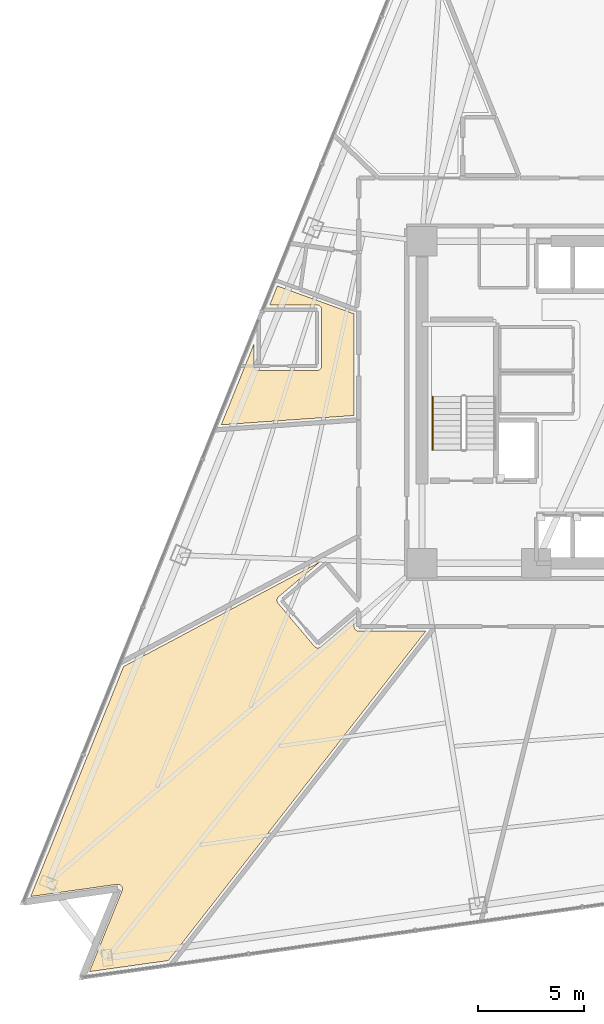
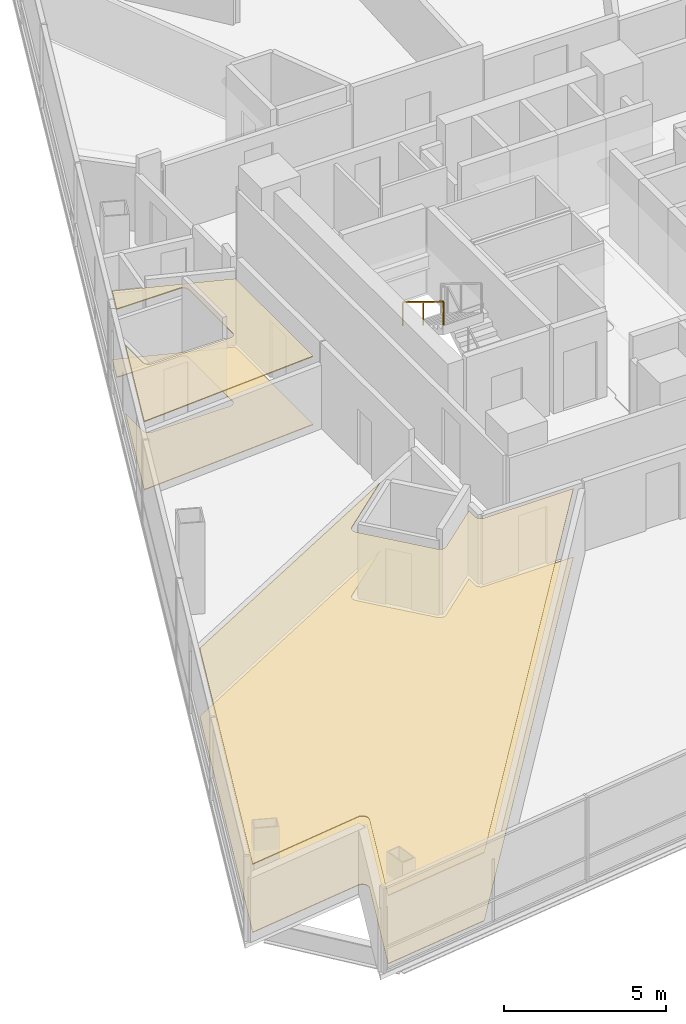
# One storey, part 11 of 15: 4 coverings, 1 railing.
"""IFC4 building model written with IfcOpenShell, lengths in metres."""

from ifc_helpers import new_model, si_unit, direction, frame, origin, origin_2d, place, context, subcontext, project, spatial, polyline, rectangle, outline, extrude, material, layer, layer_set, type_object, element, save


model = new_model("IFC4")

# Units and contexts
model_context = context("Model", 3, precision=1e-05, world=origin(), true_north=direction((0.0, 1.0)))
body_context = subcontext(model_context, "Body", "Model", "MODEL_VIEW")
ifc_project = project(units=[si_unit("LENGTHUNIT", "METRE"), si_unit("AREAUNIT", "SQUARE_METRE"), si_unit("VOLUMEUNIT", "CUBIC_METRE"), si_unit("PLANEANGLEUNIT", "RADIAN"), si_unit("MASSUNIT", "GRAM", prefix="KILO")], contexts=[model_context])

# Site, building, storey
site_placement = place(None, origin())
site = spatial("IfcSite", under=ifc_project, at=site_placement, CompositionType="ELEMENT")
building_placement = place(site_placement, origin())
building = spatial("IfcBuilding", under=site, at=building_placement, Name="Tharavind Bronze Gate", CompositionType="ELEMENT")
storey_placement = place(building_placement, frame((0.0, 0.0, 77.64990234375)))
storey = spatial("IfcBuildingStorey", under=building, at=storey_placement, Name="L19", CompositionType="ELEMENT", Elevation=77.64990234375)

# Coverings
ifc_material_1 = material(Name="Engineered Oak & Carpet Tile", Category="wood")
ifc_layer_1 = layer(ifc_material_1, 0.02490234375)
ifc_layer_set_1 = layer_set([ifc_layer_1], Name="Engineered Oak & Carpet Tile")
covering_type_1 = type_object("IfcCoveringType", Name="ENGINEERED TIMBER FLOORING", PredefinedType="FLOORING", material=ifc_layer_set_1)
covering_1_placement = place(storey_placement, origin())
element("IfcCovering", 1, at=covering_1_placement, inside=storey, type_object=covering_type_1, Name="L19-RM-07 floor finish", PredefinedType="FLOORING", context=body_context, shape_type="SweptSolid", body=[
    extrude(outline(polyline([(-12.10009765625, -0.62548828125), (-12.10009765625, 4.169921875), (-15.720703125, 5.48779296875), (-16.08447265625, 4.587646484375), (-13.85009765625, 4.587646484375), (-13.828369140625, 4.586669921875), (-13.80712890625, 4.58349609375), (-13.7861328125, 4.578125), (-13.765869140625, 4.57080078125), (-13.746337890625, 4.561767578125), (-13.727783203125, 4.550537109375), (-13.71044921875, 4.53759765625), (-13.6943359375, 4.523193359375), (-13.679931640625, 4.507080078125), (-13.6669921875, 4.489990234375), (-13.656005859375, 4.471435546875), (-13.646728515625, 4.451904296875), (-13.639404296875, 4.431396484375), (-13.63427734375, 4.41064453125), (-13.631103515625, 4.38916015625), (-13.6298828125, 4.36767578125), (-13.6298828125, 1.717529296875), (-13.631103515625, 1.696044921875), (-13.63427734375, 1.6748046875), (-13.639404296875, 1.65380859375), (-13.646728515625, 1.633544921875), (-13.656005859375, 1.614013671875), (-13.6669921875, 1.595458984375), (-13.679931640625, 1.578125), (-13.6943359375, 1.56201171875), (-13.71044921875, 1.547607421875), (-13.727783203125, 1.53466796875), (-13.746337890625, 1.523681640625), (-13.765869140625, 1.514404296875), (-13.7861328125, 1.507080078125), (-13.80712890625, 1.501953125), (-13.828369140625, 1.498779296875), (-13.85009765625, 1.49755859375), (-16.60009765625, 1.49755859375), (-16.62158203125, 1.498779296875), (-16.642822265625, 1.501953125), (-16.663818359375, 1.507080078125), (-16.68408203125, 1.514404296875), (-16.70361328125, 1.523681640625), (-16.72216796875, 1.53466796875), (-16.739501953125, 1.547607421875), (-16.755615234375, 1.56201171875), (-16.77001953125, 1.578125), (-16.782958984375, 1.595458984375), (-16.7939453125, 1.614013671875), (-16.80322265625, 1.633544921875), (-16.810546875, 1.65380859375), (-16.81591796875, 1.6748046875), (-16.81884765625, 1.696044921875), (-16.820068359375, 1.717529296875), (-16.820068359375, 2.767333984375), (-18.367919921875, -1.06396484375), (-12.10009765625, -0.62548828125)])), origin(), (0.0, 0.0, 1.0), 0.025146484375),
])
covering_2_placement = place(storey_placement, origin())
element("IfcCovering", 2, at=covering_2_placement, inside=storey, type_object=covering_type_1, Name="L19-RM-09 floor finish", PredefinedType="FLOORING", context=body_context, shape_type="SweptSolid", body=[
    extrude(outline(polyline([(-23.281982421875, -22.747802734375), (-23.271240234375, -22.74658203125), (-23.270751953125, -22.74658203125), (-23.248779296875, -22.74560546875), (-23.226806640625, -22.7470703125), (-23.205078125, -22.75048828125), (-23.18408203125, -22.756103515625), (-23.16357421875, -22.763916015625), (-23.143798828125, -22.7734375), (-23.125244140625, -22.78515625), (-23.10791015625, -22.798583984375), (-23.091796875, -22.813720703125), (-23.07763671875, -22.830078125), (-23.06494140625, -22.84814453125), (-23.05419921875, -22.8671875), (-23.04541015625, -22.88720703125), (-23.03857421875, -22.908203125), (-23.033935546875, -22.9296875), (-23.031494140625, -22.951416015625), (-23.031005859375, -22.973388671875), (-23.032958984375, -22.9951171875), (-23.037109375, -23.0166015625), (-23.043212890625, -23.037841796875), (-23.043212890625, -23.038330078125), (-23.047119140625, -23.048583984375), (-24.58984375, -26.866943359375), (-20.860595703125, -26.343017578125), (-8.717041015625, -10.800048828125), (-11.87939453125, -10.800048828125), (-11.89013671875, -10.7998046875), (-11.890869140625, -10.7998046875), (-11.912353515625, -10.797607421875), (-11.933349609375, -10.79345703125), (-11.9541015625, -10.787109375), (-11.97412109375, -10.77880859375), (-11.9931640625, -10.768798828125), (-12.010986328125, -10.756591796875), (-12.027587890625, -10.742919921875), (-12.04296875, -10.727783203125), (-12.056640625, -10.7109375), (-12.068603515625, -10.693115234375), (-12.078857421875, -10.674072265625), (-12.087158203125, -10.654052734375), (-12.093505859375, -10.63330078125), (-12.09765625, -10.6123046875), (-12.099609375, -10.5908203125), (-12.099609375, -10.590087890625), (-12.10009765625, -10.579345703125), (-12.10009765625, -10.218017578125), (-13.66796875, -11.53955078125), (-13.685302734375, -11.552490234375), (-13.70361328125, -11.56396484375), (-13.722900390625, -11.573486328125), (-13.7431640625, -11.580810546875), (-13.763916015625, -11.58642578125), (-13.785400390625, -11.58984375), (-13.806884765625, -11.59130859375), (-13.82861328125, -11.59033203125), (-13.849853515625, -11.58740234375), (-13.870849609375, -11.58251953125), (-13.891357421875, -11.57568359375), (-13.910888671875, -11.566650390625), (-13.9296875, -11.5556640625), (-13.947021484375, -11.543212890625), (-13.96337890625, -11.52880859375), (-13.97802734375, -11.512939453125), (-15.685791015625, -9.486572265625), (-15.69873046875, -9.469482421875), (-15.710205078125, -9.451171875), (-15.719482421875, -9.431640625), (-15.727294921875, -9.41162109375), (-15.732666015625, -9.390625), (-15.736083984375, -9.369384765625), (-15.737548828125, -9.34765625), (-15.73681640625, -9.326171875), (-15.73388671875, -9.3046875), (-15.728759765625, -9.28369140625), (-15.7216796875, -9.26318359375), (-15.712890625, -9.24365234375), (-15.701904296875, -9.22509765625), (-15.689208984375, -9.20751953125), (-15.675048828125, -9.19140625), (-15.6591796875, -9.176513671875), (-13.72607421875, -7.54736328125), (-22.97412109375, -12.464599609375), (-27.3603515625, -23.321044921875), (-23.281982421875, -22.747802734375)])), origin(), (0.0, 0.0, 1.0), 0.025146484375),
])
ifc_material_2 = material(Name="Acoustic Gypsum Board", Category="gypsum")
ifc_layer_2 = layer(ifc_material_2, 0.030029296875)
ifc_layer_set_2 = layer_set([ifc_layer_2], Name="Acoustic Gypsum Board")
covering_type_2 = type_object("IfcCoveringType", Name="GYPSUM SUSPENDED CEILING", PredefinedType="CEILING", material=ifc_layer_set_2)
covering_3_placement = place(storey_placement, frame((0.0, 0.0, 2.56005859375)))
element("IfcCovering", 3, at=covering_3_placement, inside=storey, type_object=covering_type_2, Name="L19-RM-07 suspended ceiling", PredefinedType="CEILING", context=body_context, shape_type="SweptSolid", body=[
    extrude(outline(polyline([(-12.10009765625, -0.62548828125), (-12.10009765625, 4.169921875), (-15.720703125, 5.48779296875), (-16.08447265625, 4.587646484375), (-13.85009765625, 4.587646484375), (-13.828369140625, 4.586669921875), (-13.80712890625, 4.58349609375), (-13.7861328125, 4.578125), (-13.765869140625, 4.57080078125), (-13.746337890625, 4.561767578125), (-13.727783203125, 4.550537109375), (-13.71044921875, 4.53759765625), (-13.6943359375, 4.523193359375), (-13.679931640625, 4.507080078125), (-13.6669921875, 4.489990234375), (-13.656005859375, 4.471435546875), (-13.646728515625, 4.451904296875), (-13.639404296875, 4.431396484375), (-13.63427734375, 4.41064453125), (-13.631103515625, 4.38916015625), (-13.6298828125, 4.36767578125), (-13.6298828125, 1.717529296875), (-13.631103515625, 1.696044921875), (-13.63427734375, 1.6748046875), (-13.639404296875, 1.65380859375), (-13.646728515625, 1.633544921875), (-13.656005859375, 1.614013671875), (-13.6669921875, 1.595458984375), (-13.679931640625, 1.578125), (-13.6943359375, 1.56201171875), (-13.71044921875, 1.547607421875), (-13.727783203125, 1.53466796875), (-13.746337890625, 1.523681640625), (-13.765869140625, 1.514404296875), (-13.7861328125, 1.507080078125), (-13.80712890625, 1.501953125), (-13.828369140625, 1.498779296875), (-13.85009765625, 1.49755859375), (-16.60009765625, 1.49755859375), (-16.62158203125, 1.498779296875), (-16.642822265625, 1.501953125), (-16.663818359375, 1.507080078125), (-16.68408203125, 1.514404296875), (-16.70361328125, 1.523681640625), (-16.72216796875, 1.53466796875), (-16.739501953125, 1.547607421875), (-16.755615234375, 1.56201171875), (-16.77001953125, 1.578125), (-16.782958984375, 1.595458984375), (-16.7939453125, 1.614013671875), (-16.80322265625, 1.633544921875), (-16.810546875, 1.65380859375), (-16.81591796875, 1.6748046875), (-16.81884765625, 1.696044921875), (-16.820068359375, 1.717529296875), (-16.820068359375, 2.767333984375), (-18.367919921875, -1.06396484375), (-12.10009765625, -0.62548828125)])), origin(), (0.0, 0.0, 1.0), 0.03515625),
])
covering_4_placement = place(storey_placement, frame((0.0, 0.0, 2.56005859375)))
element("IfcCovering", 4, at=covering_4_placement, inside=storey, type_object=covering_type_2, Name="L19-RM-09 suspended ceiling", PredefinedType="CEILING", context=body_context, shape_type="SweptSolid", body=[
    extrude(outline(polyline([(-23.281982421875, -22.747802734375), (-23.271240234375, -22.74658203125), (-23.270751953125, -22.74658203125), (-23.248779296875, -22.74560546875), (-23.226806640625, -22.7470703125), (-23.205078125, -22.75048828125), (-23.18408203125, -22.756103515625), (-23.16357421875, -22.763916015625), (-23.143798828125, -22.7734375), (-23.125244140625, -22.78515625), (-23.10791015625, -22.798583984375), (-23.091796875, -22.813720703125), (-23.07763671875, -22.830078125), (-23.06494140625, -22.84814453125), (-23.05419921875, -22.8671875), (-23.04541015625, -22.88720703125), (-23.03857421875, -22.908203125), (-23.033935546875, -22.9296875), (-23.031494140625, -22.951416015625), (-23.031005859375, -22.973388671875), (-23.032958984375, -22.9951171875), (-23.037109375, -23.0166015625), (-23.043212890625, -23.037841796875), (-23.043212890625, -23.038330078125), (-23.047119140625, -23.048583984375), (-24.58984375, -26.866943359375), (-20.860595703125, -26.343017578125), (-8.717041015625, -10.800048828125), (-11.87939453125, -10.800048828125), (-11.89013671875, -10.7998046875), (-11.890869140625, -10.7998046875), (-11.912353515625, -10.797607421875), (-11.933349609375, -10.79345703125), (-11.9541015625, -10.787109375), (-11.97412109375, -10.77880859375), (-11.9931640625, -10.768798828125), (-12.010986328125, -10.756591796875), (-12.027587890625, -10.742919921875), (-12.04296875, -10.727783203125), (-12.056640625, -10.7109375), (-12.068603515625, -10.693115234375), (-12.078857421875, -10.674072265625), (-12.087158203125, -10.654052734375), (-12.093505859375, -10.63330078125), (-12.09765625, -10.6123046875), (-12.099609375, -10.5908203125), (-12.099609375, -10.590087890625), (-12.10009765625, -10.579345703125), (-12.10009765625, -10.218017578125), (-13.66796875, -11.53955078125), (-13.685302734375, -11.552490234375), (-13.70361328125, -11.56396484375), (-13.722900390625, -11.573486328125), (-13.7431640625, -11.580810546875), (-13.763916015625, -11.58642578125), (-13.785400390625, -11.58984375), (-13.806884765625, -11.59130859375), (-13.82861328125, -11.59033203125), (-13.849853515625, -11.58740234375), (-13.870849609375, -11.58251953125), (-13.891357421875, -11.57568359375), (-13.910888671875, -11.566650390625), (-13.9296875, -11.5556640625), (-13.947021484375, -11.543212890625), (-13.96337890625, -11.52880859375), (-13.97802734375, -11.512939453125), (-15.685791015625, -9.486572265625), (-15.69873046875, -9.469482421875), (-15.710205078125, -9.451171875), (-15.719482421875, -9.431640625), (-15.727294921875, -9.41162109375), (-15.732666015625, -9.390625), (-15.736083984375, -9.369384765625), (-15.737548828125, -9.34765625), (-15.73681640625, -9.326171875), (-15.73388671875, -9.3046875), (-15.728759765625, -9.28369140625), (-15.7216796875, -9.26318359375), (-15.712890625, -9.24365234375), (-15.701904296875, -9.22509765625), (-15.689208984375, -9.20751953125), (-15.675048828125, -9.19140625), (-15.6591796875, -9.176513671875), (-13.72607421875, -7.54736328125), (-22.97412109375, -12.464599609375), (-27.3603515625, -23.321044921875), (-23.281982421875, -22.747802734375)])), origin(), (0.0, 0.0, 1.0), 0.03515625),
])

# Railing
ifc_material_3 = material(Name="Brushed Bronze Alloy", Category="metal")
railing_type = type_object("IfcRailingType", Name="STAIR BRONZE HANDRAIL 900", PredefinedType="HANDRAIL", material=ifc_material_3)
railing_placement = place(storey_placement, frame((-8.39990234375, 0.27001953125, 1.897705078125)))
element("IfcRailing", 5, at=railing_placement, inside=storey, type_object=railing_type, Name="L19 ST1 stair handrail 2", PredefinedType="HANDRAIL", context=body_context, shape_type="SweptSolid", body=[
    extrude(rectangle(XDim=0.048095703125, YDim=0.048095703125, at=origin_2d()), frame((0.0, -0.02734375, 0.892578125), z_axis=(0.0, -0.851400495292, 0.524516154772), x_axis=(1.0, 0.0, 0.0)), (0.0, 0.0, 1.0), 2.895751953125),
    extrude(rectangle(XDim=0.0400390625, YDim=0.0400390625, at=origin_2d()), origin(), (0.0, 0.0, 1.0), 0.847900390625),
    extrude(rectangle(XDim=0.0400390625, YDim=0.0400390625, at=origin_2d()), frame((0.0, -1.260009765625, 0.7763671875)), (0.0, 0.0, 1.0), 0.847900390625),
    extrude(rectangle(XDim=0.0400390625, YDim=0.0400390625, at=origin_2d()), frame((0.0, -2.52001953125, 1.552490234375)), (0.0, 0.0, 1.0), 0.847900390625),
])

save(model, "model.ifc")
